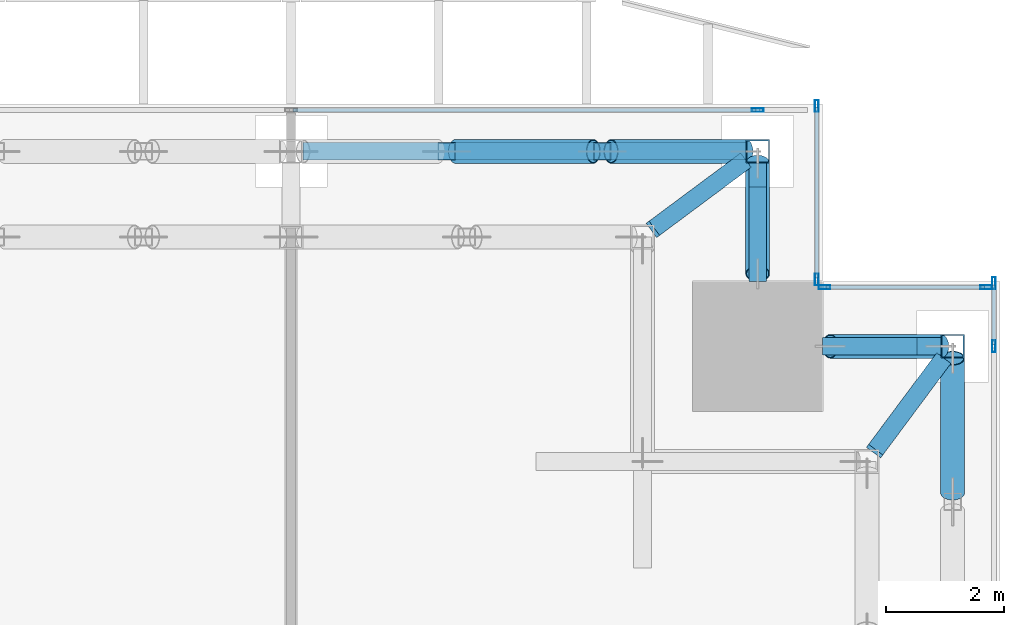
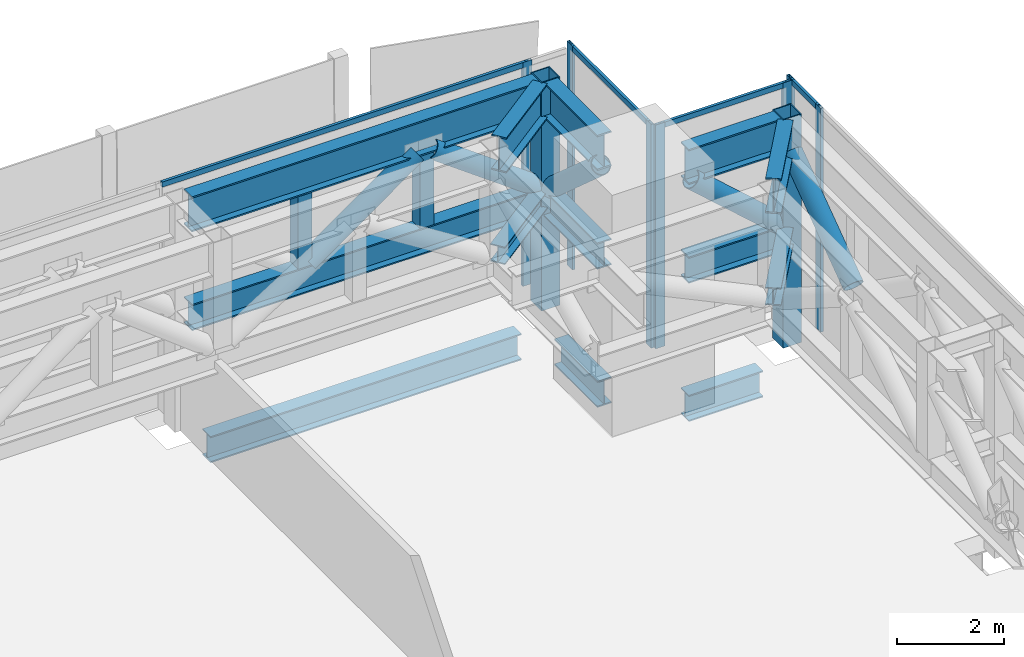
# One storey, part 27 of 39: 26 members, 7 beams, 4 elements without a shape of their own.
"""IFC4 building model written with IfcOpenShell, lengths in metres."""

from ifc_helpers import new_model, si_unit, direction, frame, origin, origin_2d, place, context, subcontext, project, spatial, hollow_rectangle, hollow_circle, i_section, extrude, source, transform, mapped, material, material_profile, profile_set, type_object, element, aggregate, save


model = new_model("IFC4")

# Units and contexts
model_context = context("Model", 3, precision=1e-05, world=origin(), true_north=direction((0.0, 1.0)))
body_context = subcontext(model_context, "Body", "Model", "MODEL_VIEW")
ifc_project = project(units=[si_unit("LENGTHUNIT", "METRE"), si_unit("AREAUNIT", "SQUARE_METRE"), si_unit("VOLUMEUNIT", "CUBIC_METRE"), si_unit("PLANEANGLEUNIT", "RADIAN"), si_unit("MASSUNIT", "GRAM", prefix="KILO")], contexts=[model_context])

# Site, building, storey
site_placement = place(None, origin())
site = spatial("IfcSite", under=ifc_project, at=site_placement, CompositionType="ELEMENT")
building_placement = place(site_placement, origin())
building = spatial("IfcBuilding", under=site, at=building_placement, Name="Khomas Fold Tower", CompositionType="ELEMENT")
storey_placement = place(building_placement, frame((0.0, 0.0, 96.0)))
storey = spatial("IfcBuildingStorey", under=building, at=storey_placement, Name="L20", CompositionType="ELEMENT", Elevation=96.0)

# Beams
ifc_material_1 = material(Name="Steel S355", Category="steel")
ifc_material_profile_1 = material_profile(ifc_material_1, i_section(OverallWidth=0.300048828125, OverallDepth=0.60009765625, WebThickness=0.015380859375, FlangeThickness=0.030029296875, at=origin_2d()), Name="HE 600 B")
ifc_profile_set_1 = profile_set([ifc_material_profile_1], Name="Steel S355")
beam_type_1 = type_object("IfcBeamType", Name="HE 600 B spandrel SB1", PredefinedType="SPANDREL", material=ifc_profile_set_1)
shared_shape_1 = source(origin(), body_context, "Body", "SweptSolid", [
    extrude(i_section(OverallWidth=0.300048828125, OverallDepth=0.60009765625, WebThickness=0.015380859375, FlangeThickness=0.030029296875, at=origin_2d()), origin(), (0.0, 0.0, 1.0), 6.699951171875),
])
beam_placement = place(storey_placement, frame((42.60009765625, 53.199951171875, -0.699951171875), z_axis=(1.0, 0.0, 0.0), x_axis=(0.0, 1.0, 0.0)))
element("IfcBeam", 1, at=beam_placement, inside=storey, type_object=beam_type_1, Name="SB1", PredefinedType="SPANDREL", context=body_context, shape_type="MappedRepresentation", body=[
    mapped(shared_shape_1, transform((0.0, 0.0, 0.0))),
])
shared_shape_2 = source(origin(), body_context, "Body", "SweptSolid", [
    extrude(i_section(OverallWidth=0.300048828125, OverallDepth=0.60009765625, WebThickness=0.015380859375, FlangeThickness=0.030029296875, at=origin_2d()), origin(), (0.0, 0.0, 1.0), 1.60009765625),
])
for number, where, z_axis, x_axis, name in (
    (2, (51.0, 49.89990234375, -0.699951171875), (1.0, 0.0, 0.0), (0.0, 1.0, 0.0), "SB1"),
    (3, (49.89990234375, 51.0, -0.699951171875), (0.0, 1.0, 0.0), (-1.0, 0.0, 0.0), "SB1"),
):
    element("IfcBeam", number, at=place(storey_placement, frame(where, z_axis=z_axis, x_axis=x_axis)), inside=storey, type_object=beam_type_1, Name=name, PredefinedType="SPANDREL", context=body_context, shape_type="MappedRepresentation", body=[
        mapped(shared_shape_2, transform((0.0, 0.0, 0.0))),
    ])

# Members
ifc_material_2 = material(Name="Steel S460M", Category="steel")
ifc_material_profile_2 = material_profile(ifc_material_2, i_section(OverallWidth=0.300048828125, OverallDepth=0.800048828125, WebThickness=0.017578125, FlangeThickness=0.032958984375, at=origin_2d()), Name="HE 800 B")
ifc_profile_set_2 = profile_set([ifc_material_profile_2], Name="Steel S460M")
member_type_1 = type_object("IfcMemberType", Name="BELT TRUSS 1 TOP CHORD HE 800 B", PredefinedType="CHORD", material=ifc_profile_set_2)
shared_shape_3 = source(origin(), body_context, "Body", "SweptSolid", [
    extrude(i_section(OverallWidth=0.300048828125, OverallDepth=0.800048828125, WebThickness=0.017578125, FlangeThickness=0.032958984375, at=origin_2d()), origin(), (0.0, 0.0, 1.0), 7.5),
])
member_1_placement = place(storey_placement, frame((49.699951171875, 53.199951171875, 4.800048828125), z_axis=(-1.0, 0.0, 0.0), x_axis=(0.0, -1.0, 0.0)))
element("IfcMember", 4, at=member_1_placement, inside=storey, type_object=member_type_1, Name="BT1-CT", PredefinedType="CHORD", context=body_context, shape_type="MappedRepresentation", body=[
    mapped(shared_shape_3, transform((0.0, 0.0, 0.0))),
])
ifc_material_3 = material(Name="Steel S355", Category="steel")
ifc_material_profile_3 = material_profile(ifc_material_3, i_section(OverallWidth=0.300048828125, OverallDepth=0.60009765625, WebThickness=0.015380859375, FlangeThickness=0.030029296875, at=origin_2d()), Name="HE 600 B")
ifc_profile_set_3 = profile_set([ifc_material_profile_3], Name="Steel S355")
member_type_2 = type_object("IfcMemberType", Name="BELT TRUSS 1 BOTTOM CHORD HE 600 B", PredefinedType="CHORD", material=ifc_profile_set_3)
shared_shape_4 = source(origin(), body_context, "Body", "SweptSolid", [
    extrude(i_section(OverallWidth=0.300048828125, OverallDepth=0.60009765625, WebThickness=0.015380859375, FlangeThickness=0.030029296875, at=origin_2d()), origin(), (0.0, 0.0, 1.0), 7.5),
])
member_2_placement = place(storey_placement, frame((49.699951171875, 53.199951171875, 2.449951171875), z_axis=(-1.0, 0.0, 0.0), x_axis=(0.0, -1.0, 0.0)))
element("IfcMember", 5, at=member_2_placement, inside=storey, type_object=member_type_2, Name="BT1-CB", PredefinedType="CHORD", context=body_context, shape_type="MappedRepresentation", body=[
    mapped(shared_shape_4, transform((0.0, 0.0, 0.0))),
])
ifc_material_4 = material(Name="Steel S355", Category="steel")
ifc_material_profile_4 = material_profile(ifc_material_4, hollow_circle(Radius=0.203125, WallThickness=0.01611328125, at=origin_2d()), Name="CHS 406.4x16")
ifc_profile_set_4 = profile_set([ifc_material_profile_4], Name="Steel S355")
member_type_3 = type_object("IfcMemberType", Name="BELT TRUSS 1 DIAGONAL CHS 406.4x16", PredefinedType="BRACE", material=ifc_profile_set_4)
shared_shape_5 = source(origin(), body_context, "Body", "SweptSolid", [
    extrude(hollow_circle(Radius=0.203125, WallThickness=0.01611328125, at=origin_2d()), origin(), (0.0, 0.0, 1.0), 2.82275390625),
])
for number, where, z_axis, x_axis, name in (
    (6, (53.199951171875, 47.416748046875, 2.7451171875), (0.0, 0.808837053127, 0.588032840485), (-1.0, 0.0, 0.0), "BT1-D"),
    (7, (49.699951171875, 53.199951171875, 2.7451171875), (-0.808837053127, 0.0, 0.588032840485), (0.0, -1.0, 0.0), "BT1-D"),
):
    element("IfcMember", number, at=place(storey_placement, frame(where, z_axis=z_axis, x_axis=x_axis)), inside=storey, type_object=member_type_3, Name=name, PredefinedType="BRACE", context=body_context, shape_type="MappedRepresentation", body=[
        mapped(shared_shape_5, transform((0.0, 0.0, 0.0))),
    ])
shared_shape_6 = source(origin(), body_context, "Body", "SweptSolid", [
    extrude(hollow_circle(Radius=0.203125, WallThickness=0.01611328125, at=origin_2d()), origin(), (0.0, 0.0, 1.0), 2.863525390625),
])
member_3_placement = place(storey_placement, frame((47.11669921875, 53.199951171875, 4.405029296875), z_axis=(-0.814838084694, 0.0, -0.579688619633), x_axis=(0.0, -1.0, 0.0)))
element("IfcMember", 8, at=member_3_placement, inside=storey, type_object=member_type_3, Name="BT1-D", PredefinedType="BRACE", context=body_context, shape_type="MappedRepresentation", body=[
    mapped(shared_shape_6, transform((0.0, 0.0, 0.0))),
])
ifc_material_5 = material(Name="Steel S355", Category="steel")
ifc_material_profile_5 = material_profile(ifc_material_5, hollow_rectangle(XDim=0.300048828125, YDim=0.300048828125, WallThickness=0.01611328125, at=origin_2d()), Name="SHS 300x300x16")
ifc_profile_set_5 = profile_set([ifc_material_profile_5], Name="Steel S355")
member_type_4 = type_object("IfcMemberType", Name="BELT TRUSS 1 MID POST SHS 300x300x16", PredefinedType="POST", material=ifc_profile_set_5)
shared_shape_7 = source(origin(), body_context, "Body", "SweptSolid", [
    extrude(hollow_rectangle(XDim=0.300048828125, YDim=0.300048828125, WallThickness=0.01611328125, at=origin_2d()), origin(), (0.0, 0.0, 1.0), 1.64990234375),
])
for number, where, z_axis, x_axis, name in (
    (9, (47.2666015625, 53.199951171875, 2.75), (0.0, 0.0, 1.0), (1.0, 0.0, 0.0), "BT1-M"),
    (10, (44.63330078125, 53.199951171875, 2.75), (0.0, 0.0, 1.0), (1.0, 0.0, 0.0), "BT1-M"),
):
    element("IfcMember", number, at=place(storey_placement, frame(where, z_axis=z_axis, x_axis=x_axis)), inside=storey, type_object=member_type_4, Name=name, PredefinedType="POST", context=body_context, shape_type="MappedRepresentation", body=[
        mapped(shared_shape_7, transform((0.0, 0.0, 0.0))),
    ])
ifc_material_6 = material(Name="Steel S460M", Category="steel")
ifc_material_profile_6 = material_profile(ifc_material_6, i_section(OverallWidth=0.300048828125, OverallDepth=0.800048828125, WebThickness=0.017578125, FlangeThickness=0.032958984375, at=origin_2d()), Name="HE 800 B")
ifc_profile_set_6 = profile_set([ifc_material_profile_6], Name="Steel S460M")
member_type_5 = type_object("IfcMemberType", Name="BELT TRUSS 1 TOP CHORD SHORTER HE 800 B", PredefinedType="CHORD", material=ifc_profile_set_6)
shared_shape_8 = source(origin(), body_context, "Body", "SweptSolid", [
    extrude(i_section(OverallWidth=0.300048828125, OverallDepth=0.800048828125, WebThickness=0.017578125, FlangeThickness=0.032958984375, at=origin_2d()), origin(), (0.0, 0.0, 1.0), 2.0),
])
for number, where, z_axis, x_axis, name in (
    (11, (53.0, 49.89990234375, 4.800048828125), (-1.0, 0.0, 0.0), (0.0, -1.0, 0.0), "BT1-CTSS"),
    (12, (49.89990234375, 53.0, 4.800048828125), (0.0, -1.0, 0.0), (1.0, 0.0, 0.0), "BT1-CTSS"),
):
    element("IfcMember", number, at=place(storey_placement, frame(where, z_axis=z_axis, x_axis=x_axis)), inside=storey, type_object=member_type_5, Name=name, PredefinedType="CHORD", context=body_context, shape_type="MappedRepresentation", body=[
        mapped(shared_shape_8, transform((0.0, 0.0, 0.0))),
    ])
ifc_material_7 = material(Name="Steel S355", Category="steel")
ifc_material_profile_7 = material_profile(ifc_material_7, i_section(OverallWidth=0.300048828125, OverallDepth=0.60009765625, WebThickness=0.015380859375, FlangeThickness=0.030029296875, at=origin_2d()), Name="HE 600 B")
ifc_profile_set_7 = profile_set([ifc_material_profile_7], Name="Steel S355")
member_type_6 = type_object("IfcMemberType", Name="BELT TRUSS 1 BOTTOM CHORD SHORTER HE 600 B", PredefinedType="CHORD", material=ifc_profile_set_7)
shared_shape_9 = source(origin(), body_context, "Body", "SweptSolid", [
    extrude(i_section(OverallWidth=0.300048828125, OverallDepth=0.60009765625, WebThickness=0.015380859375, FlangeThickness=0.030029296875, at=origin_2d()), origin(), (0.0, 0.0, 1.0), 2.0),
])
for number, where, z_axis, x_axis, name in (
    (13, (53.0, 49.89990234375, 2.449951171875), (-1.0, 0.0, 0.0), (0.0, -1.0, 0.0), "BT1-CBSS"),
    (14, (49.89990234375, 53.0, 2.449951171875), (0.0, -1.0, 0.0), (1.0, 0.0, 0.0), "BT1-CBSS"),
):
    element("IfcMember", number, at=place(storey_placement, frame(where, z_axis=z_axis, x_axis=x_axis)), inside=storey, type_object=member_type_6, Name=name, PredefinedType="CHORD", context=body_context, shape_type="MappedRepresentation", body=[
        mapped(shared_shape_9, transform((0.0, 0.0, 0.0))),
    ])
shared_shape_10 = source(origin(), body_context, "Body", "SweptSolid", [
    extrude(hollow_circle(Radius=0.203125, WallThickness=0.01611328125, at=origin_2d()), origin(), (0.0, 0.0, 1.0), 2.5009765625),
])
for number, where, z_axis, x_axis, name in (
    (15, (53.0, 49.89990234375, 2.7451171875), (-0.74797457832, 0.0, 0.663727376403), (0.0, -1.0, 0.0), "BT1-D"),
    (16, (49.89990234375, 53.0, 2.7451171875), (0.0, -0.74797457832, 0.663727376403), (1.0, 0.0, 0.0), "BT1-D"),
):
    element("IfcMember", number, at=place(storey_placement, frame(where, z_axis=z_axis, x_axis=x_axis)), inside=storey, type_object=member_type_3, Name=name, PredefinedType="BRACE", context=body_context, shape_type="MappedRepresentation", body=[
        mapped(shared_shape_10, transform((0.0, 0.0, 0.0))),
    ])
ifc_material_8 = material(Name="Steel S460M", Category="steel")
ifc_material_profile_8 = material_profile(ifc_material_8, hollow_rectangle(XDim=0.39990234375, YDim=0.39990234375, WallThickness=0.02001953125, at=origin_2d()), Name="SHS 400x400x20")
ifc_profile_set_8 = profile_set([ifc_material_profile_8], Name="Steel S460M")
member_type_7 = type_object("IfcMemberType", Name="BELT TRUSS 1 COLUMN POST LONG SHS 400x400x20", PredefinedType="POST", material=ifc_profile_set_8)
shared_shape_11 = source(origin(), body_context, "Body", "SweptSolid", [
    extrude(hollow_rectangle(XDim=0.39990234375, YDim=0.39990234375, WallThickness=0.02001953125, at=origin_2d()), origin(), (0.0, 0.0, 1.0), 5.199951171875),
])
for number, where, z_axis, x_axis, name in (
    (17, (53.199951171875, 49.89990234375, 0.0), (0.0, 0.0, 1.0), (1.0, 0.0, 0.0), "BT1-PL"),
    (18, (49.89990234375, 53.199951171875, 0.0), (0.0, 0.0, 1.0), (1.0, 0.0, 0.0), "BT1-PL"),
):
    element("IfcMember", number, at=place(storey_placement, frame(where, z_axis=z_axis, x_axis=x_axis)), inside=storey, type_object=member_type_7, Name=name, PredefinedType="POST", context=body_context, shape_type="MappedRepresentation", body=[
        mapped(shared_shape_11, transform((0.0, 0.0, 0.0))),
    ])

# Beams
ifc_material_9 = material(Name="Steel S460M", Category="steel")
ifc_material_profile_9 = material_profile(ifc_material_9, i_section(OverallWidth=0.300048828125, OverallDepth=0.800048828125, WebThickness=0.017578125, FlangeThickness=0.032958984375, at=origin_2d()), Name="HE 800 B")
ifc_profile_set_9 = profile_set([ifc_material_profile_9], Name="Steel S460M")
beam_type_2 = type_object("IfcBeamType", Name="BELT TRUSS 1 TOP TRANSFER STRUT HE 800 B", PredefinedType="BEAM", material=ifc_profile_set_9)
shared_shape_12 = source(origin(), body_context, "Body", "SweptSolid", [
    extrude(i_section(OverallWidth=0.300048828125, OverallDepth=0.800048828125, WebThickness=0.017578125, FlangeThickness=0.032958984375, at=origin_2d()), origin(), (0.0, 0.0, 1.0), 1.931640625),
])
for number, where, z_axis, x_axis, name in (
    (19, (51.898681640625, 48.14990234375, 4.800048828125), (0.596698592497, 0.802465444559, 0.0), (-0.802465444559, 0.596698592497, 0.0), "BT1-STD"),
    (20, (48.14990234375, 51.898681640625, 4.800048828125), (0.802465444559, 0.596698592497, 0.0), (-0.596698592497, 0.802465444559, 0.0), "BT1-STD"),
):
    element("IfcBeam", number, at=place(storey_placement, frame(where, z_axis=z_axis, x_axis=x_axis)), inside=storey, type_object=beam_type_2, Name=name, PredefinedType="BEAM", context=body_context, shape_type="MappedRepresentation", body=[
        mapped(shared_shape_12, transform((0.0, 0.0, 0.0))),
    ])
ifc_material_10 = material(Name="Steel S355", Category="steel")
ifc_material_profile_10 = material_profile(ifc_material_10, i_section(OverallWidth=0.300048828125, OverallDepth=0.39990234375, WebThickness=0.013427734375, FlangeThickness=0.02392578125, at=origin_2d()), Name="HE 400 B")
ifc_profile_set_10 = profile_set([ifc_material_profile_10], Name="Steel S355")
beam_type_3 = type_object("IfcBeamType", Name="BELT TRUSS 1 BOTTOM STRUT LONG HE 400 B", PredefinedType="BEAM", material=ifc_profile_set_10)
shared_shape_13 = source(origin(), body_context, "Body", "SweptSolid", [
    extrude(i_section(OverallWidth=0.300048828125, OverallDepth=0.39990234375, WebThickness=0.013427734375, FlangeThickness=0.02392578125, at=origin_2d()), origin(), (0.0, 0.0, 1.0), 1.99365234375),
])
for number, where, z_axis, x_axis, name in (
    (21, (51.861572265625, 48.10009765625, 2.550048828125), (0.59672298522, 0.802447306002, 0.0), (-0.802447306002, 0.59672298522, 0.0), "BT1-SBL"),
    (22, (48.10009765625, 51.861572265625, 2.550048828125), (0.802447306002, 0.59672298522, 0.0), (-0.59672298522, 0.802447306002, 0.0), "BT1-SBL"),
):
    element("IfcBeam", number, at=place(storey_placement, frame(where, z_axis=z_axis, x_axis=x_axis)), inside=storey, type_object=beam_type_3, Name=name, PredefinedType="BEAM", context=body_context, shape_type="MappedRepresentation", body=[
        mapped(shared_shape_13, transform((0.0, 0.0, 0.0))),
    ])

# Curtain wall, members
ifc_material_11 = material(Name="Aluminium framed double glazing", Category="aluminium")
curtain_wall_type = type_object("IfcCurtainWallType", Name="SK-Plant louvre wall CW4", PredefinedType="NOTDEFINED", material=ifc_material_11)
curtain_wall_1_placement = place(storey_placement, origin())
curtain_wall_1 = element("IfcCurtainWall", 23, at=curtain_wall_1_placement, inside=storey, type_object=curtain_wall_type, Name="CW4 run L20 03-0", PredefinedType="NOTDEFINED")
ifc_material_12 = material(Name="Aluminium", Category="aluminium")
ifc_material_profile_11 = material_profile(ifc_material_12, hollow_rectangle(XDim=0.06005859375, YDim=0.199951171875, WallThickness=0.00390625, at=origin_2d()), Name="SK-Plant louvre wall mullion CW4-M")
ifc_profile_set_11 = profile_set([ifc_material_profile_11], Name="Aluminium")
member_type_8 = type_object("IfcMemberType", Name="SK-Plant louvre wall mullion CW4-M", PredefinedType="MULLION", material=ifc_profile_set_11)
shared_shape_14 = source(origin(), body_context, "Body", "SweptSolid", [
    extrude(hollow_rectangle(XDim=0.06005859375, YDim=0.199951171875, WallThickness=0.00390625, at=origin_2d()), origin(), (0.0, 0.0, 1.0), 5.10009765625),
])
member_4_placement = place(storey_placement, frame((53.89990234375, 49.89990234375, 0.0), z_axis=(0.0, 0.0, 1.0), x_axis=(-1.0, 0.0, 0.0)))
member_4 = element("IfcMember", 24, at=member_4_placement, type_object=member_type_8, Name="CW4 mullion 8", PredefinedType="MULLION", context=body_context, shape_type="MappedRepresentation", body=[
    mapped(shared_shape_14, transform((0.0, 0.0, 0.0))),
])
member_5_placement = place(storey_placement, frame((53.89990234375, 50.969970703125, 0.0), z_axis=(0.0, 0.0, 1.0), x_axis=(-1.0, 0.0, 0.0)))
member_5 = element("IfcMember", 25, at=member_5_placement, type_object=member_type_8, Name="CW4 mullion 9", PredefinedType="MULLION", context=body_context, shape_type="MappedRepresentation", body=[
    mapped(shared_shape_14, transform((0.0, 0.0, 0.0))),
])

curtain_wall_2_placement = place(storey_placement, origin())
curtain_wall_2 = element("IfcCurtainWall", 26, at=curtain_wall_2_placement, inside=storey, type_object=curtain_wall_type, Name="CW4 corner return L20 04", PredefinedType="NOTDEFINED")
member_6_placement = place(storey_placement, frame((53.77001953125, 50.89990234375, 0.0), z_axis=(0.0, 0.0, 1.0), x_axis=(0.0, -1.0, 0.0)))
member_6 = element("IfcMember", 27, at=member_6_placement, type_object=member_type_8, Name="CW4 mullion 1", PredefinedType="MULLION", context=body_context, shape_type="MappedRepresentation", body=[
    mapped(shared_shape_14, transform((0.0, 0.0, 0.0))),
])
member_7_placement = place(storey_placement, frame((51.030029296875, 50.89990234375, 0.0), z_axis=(0.0, 0.0, 1.0), x_axis=(0.0, -1.0, 0.0)))
member_7 = element("IfcMember", 28, at=member_7_placement, type_object=member_type_8, Name="CW4 mullion 2", PredefinedType="MULLION", context=body_context, shape_type="MappedRepresentation", body=[
    mapped(shared_shape_14, transform((0.0, 0.0, 0.0))),
])

curtain_wall_3_placement = place(storey_placement, origin())
curtain_wall_3 = element("IfcCurtainWall", 29, at=curtain_wall_3_placement, inside=storey, type_object=curtain_wall_type, Name="CW4 corner return L20 05", PredefinedType="NOTDEFINED")
member_8_placement = place(storey_placement, frame((50.89990234375, 51.030029296875, 0.0), z_axis=(0.0, 0.0, 1.0), x_axis=(-1.0, 0.0, 0.0)))
member_8 = element("IfcMember", 30, at=member_8_placement, type_object=member_type_8, Name="CW4 mullion 1", PredefinedType="MULLION", context=body_context, shape_type="MappedRepresentation", body=[
    mapped(shared_shape_14, transform((0.0, 0.0, 0.0))),
])
member_9_placement = place(storey_placement, frame((50.89990234375, 53.969970703125, 0.0), z_axis=(0.0, 0.0, 1.0), x_axis=(-1.0, 0.0, 0.0)))
member_9 = element("IfcMember", 31, at=member_9_placement, type_object=member_type_8, Name="CW4 mullion 2", PredefinedType="MULLION", context=body_context, shape_type="MappedRepresentation", body=[
    mapped(shared_shape_14, transform((0.0, 0.0, 0.0))),
])

curtain_wall_4_placement = place(storey_placement, origin())
curtain_wall_4 = element("IfcCurtainWall", 32, at=curtain_wall_4_placement, inside=storey, type_object=curtain_wall_type, Name="CW4 run L20 06-0", PredefinedType="NOTDEFINED")
member_10_placement = place(storey_placement, frame((49.89990234375, 53.89990234375, 0.0), z_axis=(0.0, 0.0, 1.0), x_axis=(0.0, -1.0, 0.0)))
member_10 = element("IfcMember", 33, at=member_10_placement, type_object=member_type_8, Name="CW4 mullion 2", PredefinedType="MULLION", context=body_context, shape_type="MappedRepresentation", body=[
    mapped(shared_shape_14, transform((0.0, 0.0, 0.0))),
])
ifc_material_13 = material(Name="Aluminium", Category="aluminium")
ifc_material_profile_12 = material_profile(ifc_material_13, hollow_rectangle(XDim=0.06005859375, YDim=0.1201171875, WallThickness=0.00390625, at=origin_2d()), Name="SK-Plant louvre wall transom CW4-T")
ifc_profile_set_12 = profile_set([ifc_material_profile_12], Name="Aluminium")
member_type_9 = type_object("IfcMemberType", Name="SK-Plant louvre wall transom CW4-T", PredefinedType="USERDEFINED", material=ifc_profile_set_12)
shared_shape_15 = source(origin(), body_context, "Body", "SweptSolid", [
    extrude(hollow_rectangle(XDim=0.06005859375, YDim=0.1201171875, WallThickness=0.00390625, at=origin_2d()), origin(), (0.0, 0.0, 1.0), 7.840087890625),
])
member_11_placement = place(storey_placement, frame((49.8701171875, 53.89990234375, 5.0400390625), z_axis=(-1.0, 0.0, 0.0), x_axis=(0.0, -1.0, 0.0)))
member_11 = element("IfcMember", 34, at=member_11_placement, type_object=member_type_9, Name="CW4 transom 2", ObjectType="TRANSOM", PredefinedType="USERDEFINED", context=body_context, shape_type="MappedRepresentation", body=[
    mapped(shared_shape_15, transform((0.0, 0.0, 0.0))),
])
aggregate(curtain_wall_4, [member_10, member_11])

# Member
shared_shape_16 = source(origin(), body_context, "Body", "SweptSolid", [
    extrude(hollow_rectangle(XDim=0.06005859375, YDim=0.1201171875, WallThickness=0.00390625, at=origin_2d()), origin(), (0.0, 0.0, 1.0), 1.010009765625),
])
member_12_placement = place(storey_placement, frame((53.89990234375, 49.929931640625, 5.0400390625), z_axis=(0.0, 1.0, 0.0), x_axis=(-1.0, 0.0, 0.0)))
member_12 = element("IfcMember", 35, at=member_12_placement, type_object=member_type_9, Name="CW4 transom 8", ObjectType="TRANSOM", PredefinedType="USERDEFINED", context=body_context, shape_type="MappedRepresentation", body=[
    mapped(shared_shape_16, transform((0.0, 0.0, 0.0))),
])

aggregate(curtain_wall_1, [member_4, member_5, member_12])

shared_shape_17 = source(origin(), body_context, "Body", "SweptSolid", [
    extrude(hollow_rectangle(XDim=0.06005859375, YDim=0.1201171875, WallThickness=0.00390625, at=origin_2d()), origin(), (0.0, 0.0, 1.0), 2.679931640625),
])
member_13_placement = place(storey_placement, frame((53.739990234375, 50.89990234375, 5.0400390625), z_axis=(-1.0, 0.0, 0.0), x_axis=(0.0, -1.0, 0.0)))
member_13 = element("IfcMember", 36, at=member_13_placement, type_object=member_type_9, Name="CW4 transom 1", ObjectType="TRANSOM", PredefinedType="USERDEFINED", context=body_context, shape_type="MappedRepresentation", body=[
    mapped(shared_shape_17, transform((0.0, 0.0, 0.0))),
])

aggregate(curtain_wall_2, [member_6, member_7, member_13])

shared_shape_18 = source(origin(), body_context, "Body", "SweptSolid", [
    extrude(hollow_rectangle(XDim=0.06005859375, YDim=0.1201171875, WallThickness=0.00390625, at=origin_2d()), origin(), (0.0, 0.0, 1.0), 2.8798828125),
])
member_14_placement = place(storey_placement, frame((50.89990234375, 51.06005859375, 5.0400390625), z_axis=(0.0, 1.0, 0.0), x_axis=(-1.0, 0.0, 0.0)))
member_14 = element("IfcMember", 37, at=member_14_placement, type_object=member_type_9, Name="CW4 transom 1", ObjectType="TRANSOM", PredefinedType="USERDEFINED", context=body_context, shape_type="MappedRepresentation", body=[
    mapped(shared_shape_18, transform((0.0, 0.0, 0.0))),
])

aggregate(curtain_wall_3, [member_8, member_9, member_14])

save(model, "model.ifc")
